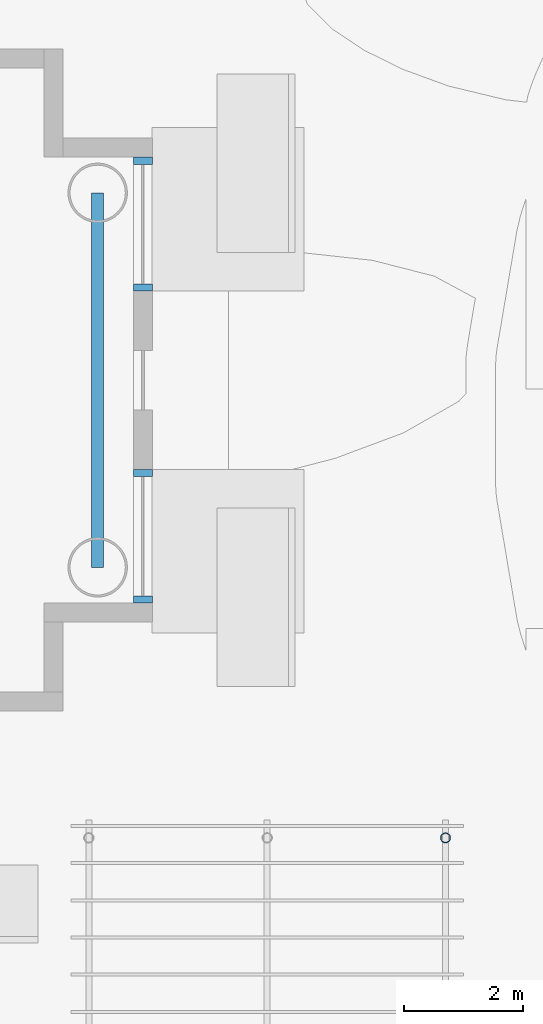
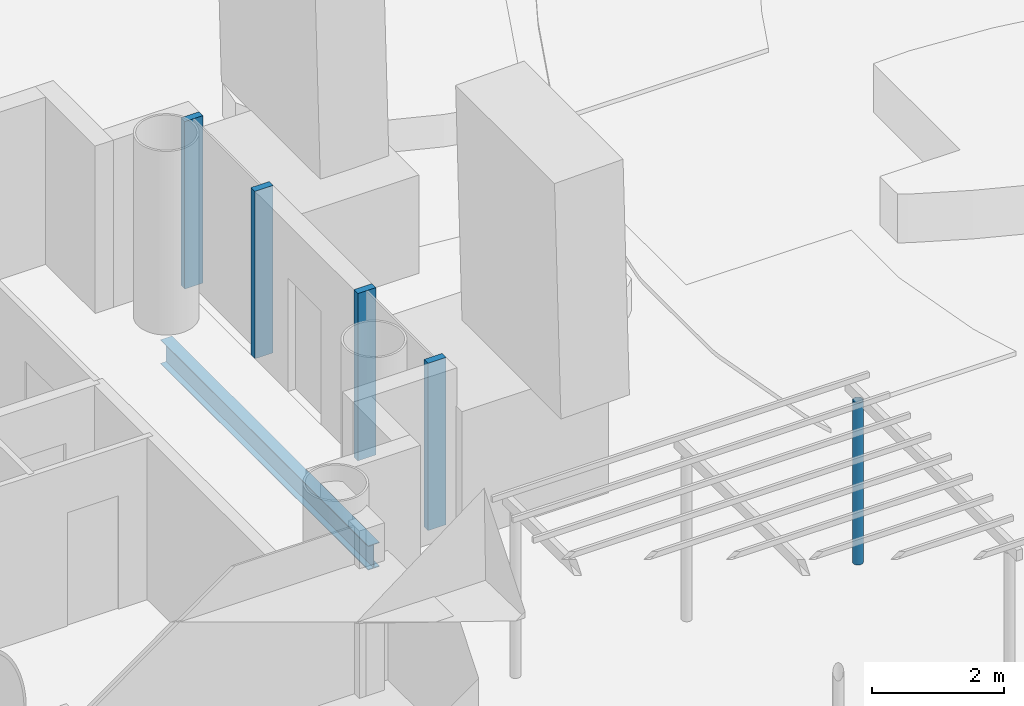
# One storey, part 8 of 40: 5 members, 1 beam, 2 elements without a shape of their own.
"""IFC4 building model written with IfcOpenShell, lengths in metres."""

from ifc_helpers import new_model, si_unit, direction, frame, origin, origin_2d, place, context, subcontext, project, spatial, rectangle, hollow_circle, i_section, extrude, material, layer, layer_set, material_profile, profile_set, type_object, element, aggregate, save


model = new_model("IFC4")

# Units and contexts
model_context = context("Model", 3, precision=1e-05, world=origin(), true_north=direction((0.0, 1.0)))
body_context = subcontext(model_context, "Body", "Model", "MODEL_VIEW")
ifc_project = project(units=[si_unit("LENGTHUNIT", "METRE"), si_unit("AREAUNIT", "SQUARE_METRE"), si_unit("VOLUMEUNIT", "CUBIC_METRE"), si_unit("PLANEANGLEUNIT", "RADIAN"), si_unit("MASSUNIT", "GRAM", prefix="KILO")], contexts=[model_context])

# Site, building, storey
site_placement = place(None, origin())
site = spatial("IfcSite", under=ifc_project, at=site_placement, CompositionType="ELEMENT")
building_placement = place(site_placement, origin())
building = spatial("IfcBuilding", under=site, at=building_placement, Name="Ipe Terrace Towers", CompositionType="ELEMENT")
storey_placement = place(building_placement, frame((0.0, 0.0, 24.5)))
storey = spatial("IfcBuildingStorey", under=building, at=storey_placement, Name="L05", CompositionType="ELEMENT", Elevation=24.5)

# Beam
ifc_material_1 = material(Name="Steel S355", Category="steel")
ifc_material_profile_1 = material_profile(ifc_material_1, i_section(OverallWidth=0.199951171875, OverallDepth=0.449951171875, WebThickness=0.009033203125, FlangeThickness=0.013916015625, at=origin_2d()), Name="H-450x200x9x14")
ifc_profile_set_1 = profile_set([ifc_material_profile_1], Name="Steel S355")
beam_type = type_object("IfcBeamType", Name="H08 EDGE BEAM H-450x200x9x14", PredefinedType="BEAM", material=ifc_profile_set_1)
beam_placement = place(storey_placement, frame((-11.85009765625, -3.14990234375, -0.625), z_axis=(0.0, 1.0, 0.0), x_axis=(-1.0, 0.0, 0.0)))
element("IfcBeam", 1, at=beam_placement, inside=storey, type_object=beam_type, Name="Edge beam T1-EB-A05-A06", PredefinedType="BEAM", context=body_context, shape_type="SweptSolid", body=[
    extrude(i_section(OverallWidth=0.199951171875, OverallDepth=0.449951171875, WebThickness=0.009033203125, FlangeThickness=0.013916015625, at=origin_2d()), origin(), (0.0, 0.0, 1.0), 6.2998046875),
])

# Member
ifc_material_2 = material(Name="Steel S355", Category="steel")
ifc_material_profile_2 = material_profile(ifc_material_2, hollow_circle(Radius=0.083984375, WallThickness=0.008056640625, at=origin_2d()), Name="PERGOLA POST CHS 168")
ifc_profile_set_2 = profile_set([ifc_material_profile_2], Name="Steel S355")
member_type_1 = type_object("IfcMemberType", Name="PERGOLA POST CHS 168", PredefinedType="POST", material=ifc_profile_set_2)
member_1_placement = place(storey_placement, frame((-6.0, -7.699951171875, -0.02001953125), z_axis=(0.0, 0.0, 1.0), x_axis=(1.0, 0.0, 0.0)))
element("IfcMember", 2, at=member_1_placement, inside=storey, type_object=member_type_1, Name="pergola post", PredefinedType="POST", context=body_context, shape_type="SweptSolid", body=[
    extrude(hollow_circle(Radius=0.083984375, WallThickness=0.008056640625, at=origin_2d()), origin(), (0.0, 0.0, 1.0), 3.0),
])

# Curtain wall, members
ifc_material_3 = material(Name="Aluminium alloy 6063-T6", Category="aluminium")
ifc_layer = layer(ifc_material_3, 0.320068359375)
ifc_layer_set = layer_set([ifc_layer], Name="TOWER UNITISED CURTAIN WALL")
curtain_wall_type = type_object("IfcCurtainWallType", Name="TOWER UNITISED CURTAIN WALL", PredefinedType="NOTDEFINED", material=ifc_layer_set)
curtain_wall_1_placement = place(storey_placement, origin())
curtain_wall_1 = element("IfcCurtainWall", 3, at=curtain_wall_1_placement, inside=storey, type_object=curtain_wall_type, Name="T1-CW-L05-25a curtain wall", PredefinedType="NOTDEFINED")
ifc_material_4 = material(Name="Aluminium alloy 6063-T6", Category="aluminium")
ifc_material_profile_3 = material_profile(ifc_material_4, rectangle(XDim=0.320068359375, YDim=0.1201171875, at=origin_2d()), Name="TOWER UNITISED CORNER MULLION 320 x 120")
ifc_profile_set_3 = profile_set([ifc_material_profile_3], Name="Aluminium alloy 6063-T6")
member_type_2 = type_object("IfcMemberType", Name="TOWER UNITISED CORNER MULLION 320 x 120", PredefinedType="MULLION", material=ifc_profile_set_3)
member_2_placement = place(storey_placement, frame((-11.090087890625, -3.68994140625, 0.0), z_axis=(0.0, 0.0, 1.0), x_axis=(1.0, 0.0, 0.0)))
member_2 = element("IfcMember", 4, at=member_2_placement, type_object=member_type_2, Name="T1-CW-L05-25a mullion 1", PredefinedType="MULLION", context=body_context, shape_type="SweptSolid", body=[
    extrude(rectangle(XDim=0.320068359375, YDim=0.1201171875, at=origin_2d()), origin(), (0.0, 0.0, 1.0), 3.10009765625),
])
member_3_placement = place(storey_placement, frame((-11.090087890625, -1.56005859375, 0.0), z_axis=(0.0, 0.0, 1.0), x_axis=(1.0, 0.0, 0.0)))
member_3 = element("IfcMember", 5, at=member_3_placement, type_object=member_type_2, Name="T1-CW-L05-25a mullion 2", PredefinedType="MULLION", context=body_context, shape_type="SweptSolid", body=[
    extrude(rectangle(XDim=0.320068359375, YDim=0.1201171875, at=origin_2d()), origin(), (0.0, 0.0, 1.0), 3.10009765625),
])
aggregate(curtain_wall_1, [member_2, member_3])

curtain_wall_2_placement = place(storey_placement, origin())
curtain_wall_2 = element("IfcCurtainWall", 6, at=curtain_wall_2_placement, inside=storey, type_object=curtain_wall_type, Name="T1-CW-L05-25c curtain wall", PredefinedType="NOTDEFINED")
member_4_placement = place(storey_placement, frame((-11.090087890625, 1.56005859375, 0.0), z_axis=(0.0, 0.0, 1.0), x_axis=(1.0, 0.0, 0.0)))
member_4 = element("IfcMember", 7, at=member_4_placement, type_object=member_type_2, Name="T1-CW-L05-25c mullion 1", PredefinedType="MULLION", context=body_context, shape_type="SweptSolid", body=[
    extrude(rectangle(XDim=0.320068359375, YDim=0.1201171875, at=origin_2d()), origin(), (0.0, 0.0, 1.0), 3.10009765625),
])
member_5_placement = place(storey_placement, frame((-11.090087890625, 3.68994140625, 0.0), z_axis=(0.0, 0.0, 1.0), x_axis=(1.0, 0.0, 0.0)))
member_5 = element("IfcMember", 8, at=member_5_placement, type_object=member_type_2, Name="T1-CW-L05-25c mullion 2", PredefinedType="MULLION", context=body_context, shape_type="SweptSolid", body=[
    extrude(rectangle(XDim=0.320068359375, YDim=0.1201171875, at=origin_2d()), origin(), (0.0, 0.0, 1.0), 3.10009765625),
])
aggregate(curtain_wall_2, [member_4, member_5])

save(model, "model.ifc")
